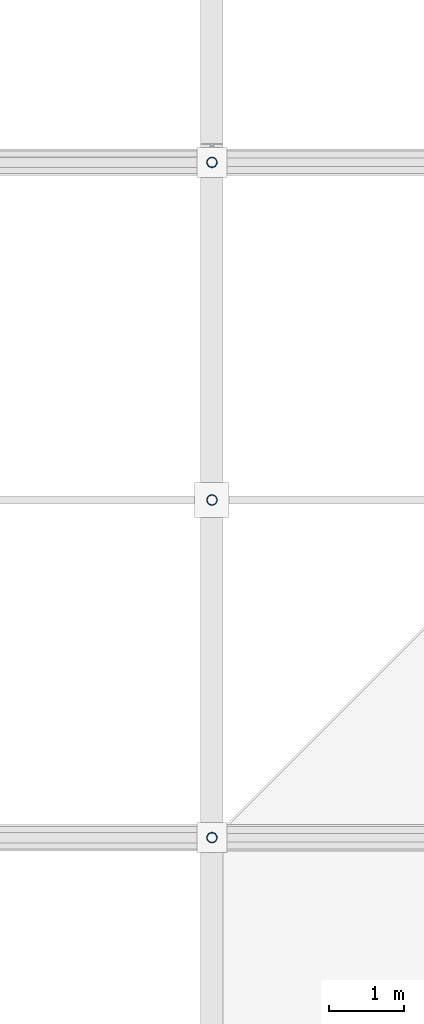
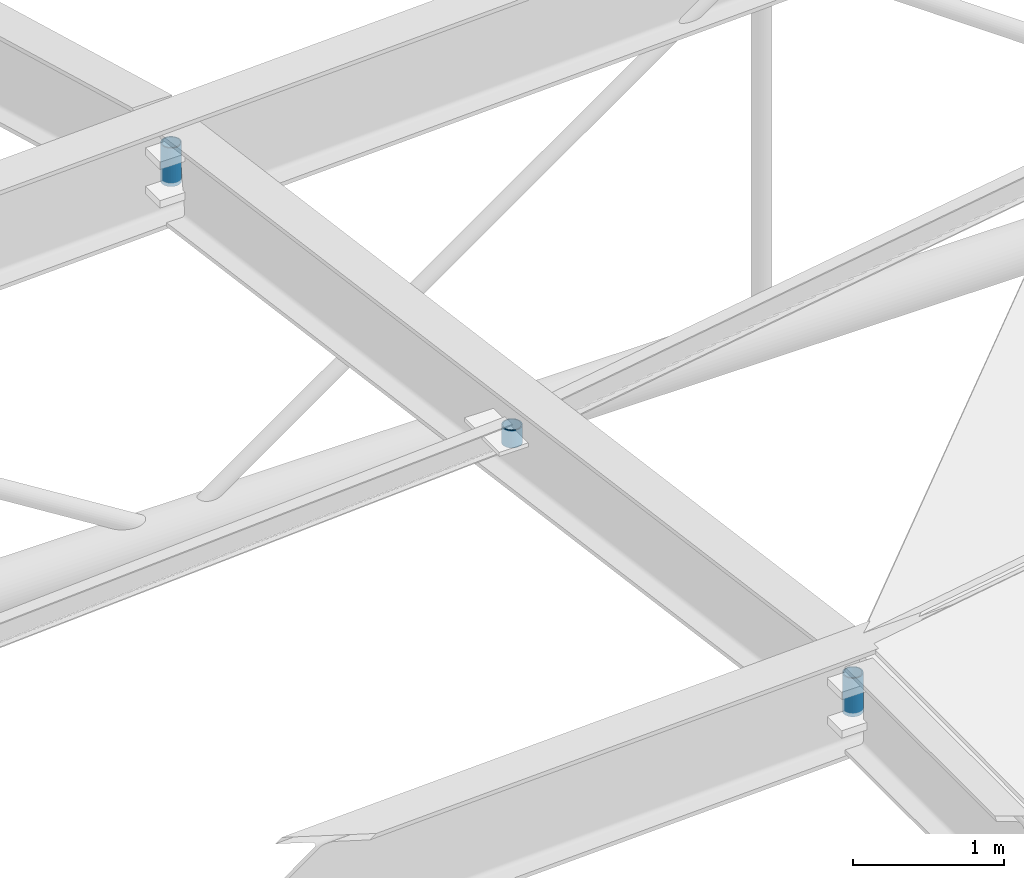
# One storey, part 71 of 80: 3 members.
"""IFC4 building model written with IfcOpenShell, lengths in metres."""

from ifc_helpers import new_model, si_unit, direction, frame, origin, origin_2d, place, context, subcontext, project, spatial, hollow_circle, extrude, material, material_profile, profile_set, type_object, element, save


model = new_model("IFC4")

# Units and contexts
model_context = context("Model", 3, precision=1e-05, world=origin(), true_north=direction((0.0, 1.0)))
body_context = subcontext(model_context, "Body", "Model", "MODEL_VIEW")
ifc_project = project(units=[si_unit("LENGTHUNIT", "METRE"), si_unit("AREAUNIT", "SQUARE_METRE"), si_unit("VOLUMEUNIT", "CUBIC_METRE"), si_unit("PLANEANGLEUNIT", "RADIAN"), si_unit("MASSUNIT", "GRAM", prefix="KILO")], contexts=[model_context])

# Site, building, storey
site_placement = place(None, origin())
site = spatial("IfcSite", under=ifc_project, at=site_placement, CompositionType="ELEMENT")
building_placement = place(site_placement, origin())
building = spatial("IfcBuilding", under=site, at=building_placement, Name="Barlavento Convention Centre", CompositionType="ELEMENT")
storey_placement = place(building_placement, frame((0.0, 0.0, 29.800048828125)))
storey = spatial("IfcBuildingStorey", under=building, at=storey_placement, Name="RF", CompositionType="ELEMENT", Elevation=29.800048828125)

# Members
ifc_material = material(Name="Steel S355", Category="steel")
ifc_material_profile = material_profile(ifc_material, hollow_circle(Radius=0.06982421875, WallThickness=0.008056640625, at=origin_2d()), Name="CHS 139.7x8.0")
ifc_profile_set = profile_set([ifc_material_profile], Name="Steel S355")
member_type = type_object("IfcMemberType", Name="STR-MEM-DIAG-CHS139", PredefinedType="BRACE", material=ifc_profile_set)
member_1_placement = place(storey_placement, frame((45.0, 27.0, -0.346923828125), z_axis=(0.0, 0.0, 1.0), x_axis=(1.0, 0.0, 0.0)))
element("IfcMember", 1, at=member_1_placement, inside=storey, type_object=member_type, Name="Congress space frame vertical node post TD04", PredefinedType="BRACE", context=body_context, shape_type="SweptSolid", body=[
    extrude(hollow_circle(Radius=0.06982421875, WallThickness=0.008056640625, at=origin_2d()), origin(), (0.0, 0.0, 1.0), 0.310546875),
])
member_2_placement = place(storey_placement, frame((45.0, 36.0, -1.532470703125), z_axis=(0.0, 0.0, 1.0), x_axis=(1.0, 0.0, 0.0)))
element("IfcMember", 2, at=member_2_placement, inside=storey, type_object=member_type, Name="Congress space frame vertical node post TD04", PredefinedType="BRACE", context=body_context, shape_type="SweptSolid", body=[
    extrude(hollow_circle(Radius=0.06982421875, WallThickness=0.008056640625, at=origin_2d()), origin(), (0.0, 0.0, 1.0), 0.310302734375),
])
member_3_placement = place(storey_placement, frame((45.0, 31.5, -0.90966796875), z_axis=(0.0, 0.0, 1.0), x_axis=(1.0, 0.0, 0.0)))
element("IfcMember", 3, at=member_3_placement, inside=storey, type_object=member_type, Name="Congress space frame vertical node post TD04", PredefinedType="BRACE", context=body_context, shape_type="SweptSolid", body=[
    extrude(hollow_circle(Radius=0.06982421875, WallThickness=0.008056640625, at=origin_2d()), origin(), (0.0, 0.0, 1.0), 0.14208984375),
])

save(model, "model.ifc")
